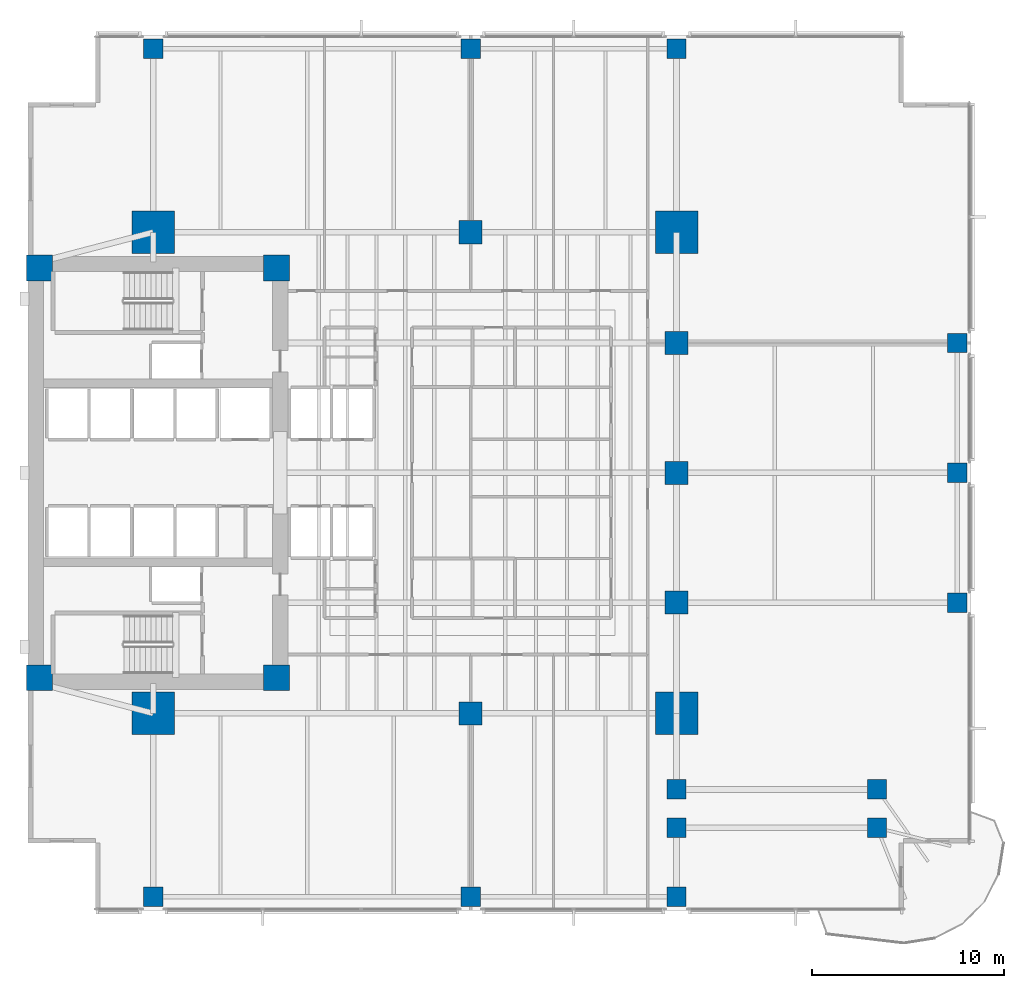
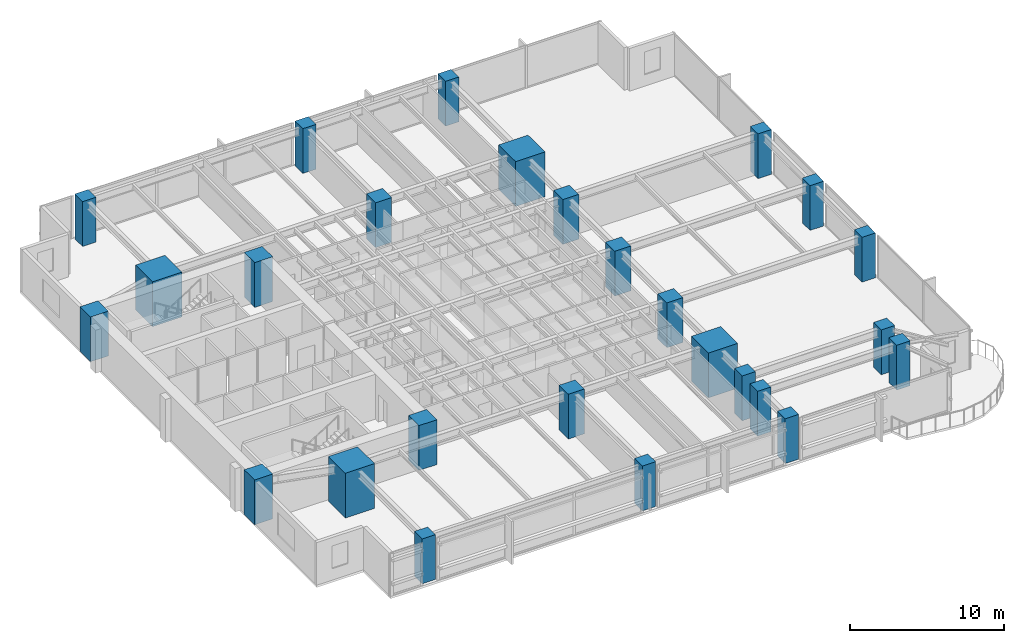
# One storey, part 1 of 15: 26 columns.
"""IFC4 building model written with IfcOpenShell, lengths in metres."""

import ifcopenshell
import ifcopenshell.guid

model = None  # the IFC model being written
_history = None  # IfcOwnerHistory: only IFC2X3 demands one
_inside = {}  # id of a spatial element -> (the spatial element, [elements in it])
_under = {}  # id of a project, library or spatial element -> (it, [spatial elements below it])
_declared = {}  # id of a project -> (the project, [libraries it declares])
_typed = {}  # id of a type object -> (the type object, [elements of that type])
_made_of = {}  # id of a material, layer set ... -> (it, [elements and type objects made of it])


def new_model(schema):
    """Start an empty IFC model of exactly this schema.

    Asked for "IFC4X3", IfcOpenShell would pick the latest addendum, in which some entities
    have other attributes; the version numbers below select the first issue.
    IFC2X3 requires an IfcOwnerHistory on every rooted entity: one is made here for all.
    """
    global model, _history
    if schema == "IFC4X3":
        model = ifcopenshell.file(schema_version=(4, 3, 0, 0))
    else:
        model = ifcopenshell.file(schema=schema)
    _inside.clear()
    _under.clear()
    _declared.clear()
    _typed.clear()
    _made_of.clear()
    _history = None
    if model.schema == "IFC2X3":
        org = make("IfcOrganization", Name="unknown")
        user = make(
            "IfcPersonAndOrganization",
            ThePerson=make("IfcPerson", FamilyName="unknown"),
            TheOrganization=org,
        )
        app = make(
            "IfcApplication",
            ApplicationDeveloper=org,
            Version="unknown",
            ApplicationFullName="unknown",
            ApplicationIdentifier="unknown",
        )
        _history = make(
            "IfcOwnerHistory",
            OwningUser=user,
            OwningApplication=app,
            ChangeAction="ADDED",
            CreationDate=0,
        )
    return model


def make(cls, **values):
    """One entity of the class cls with the attributes given. An attribute that is None is left unset."""
    return model.create_entity(
        cls, **{name: value for name, value in values.items() if value is not None}
    )


def rooted(cls, **values):
    """An entity with a GlobalId (a new one), such as an element, a storey or a relation."""
    return make(cls, GlobalId=ifcopenshell.guid.new(), OwnerHistory=_history, **values)


def si_unit(unit_type, name, prefix=None):
    """IfcSIUnit, for example si_unit("LENGTHUNIT", "METRE", prefix="MILLI")."""
    return make("IfcSIUnit", UnitType=unit_type, Prefix=prefix, Name=name)


def assignment(units):
    """IfcUnitAssignment: the units of a project."""
    return None if units is None else make("IfcUnitAssignment", Units=units)


def point(xyz):
    """IfcCartesianPoint."""
    return None if xyz is None else make("IfcCartesianPoint", Coordinates=xyz)


def direction(xyz):
    """IfcDirection."""
    return None if xyz is None else make("IfcDirection", DirectionRatios=xyz)


def frame(location, z_axis=None, x_axis=None):
    """IfcAxis2Placement3D, a coordinate frame: its origin and axes. An axis left out is left unset."""
    return make(
        "IfcAxis2Placement3D",
        Location=point(location),
        Axis=direction(z_axis),
        RefDirection=direction(x_axis),
    )


def frame_2d(location, x_axis=None):
    """IfcAxis2Placement2D, a coordinate frame in the plane: its origin and x axis."""
    return make(
        "IfcAxis2Placement2D", Location=point(location), RefDirection=direction(x_axis)
    )


def origin():
    """The frame at (0, 0, 0) with its axes left unset."""
    return frame((0.0, 0.0, 0.0))


def origin_2d():
    """The frame at (0, 0) in the plane with its x axis left unset."""
    return frame_2d((0.0, 0.0))


def place(relative_to, where):
    """IfcLocalPlacement: puts the frame where relative to a parent placement (None: the world)."""
    return make(
        "IfcLocalPlacement", PlacementRelTo=relative_to, RelativePlacement=where
    )


def context(
    kind, dimensions, precision=None, world=None, true_north=None, identifier=None
):
    """IfcGeometricRepresentationContext, for example the 3D "Model" context."""
    return make(
        "IfcGeometricRepresentationContext",
        ContextIdentifier=identifier,
        ContextType=kind,
        CoordinateSpaceDimension=dimensions,
        Precision=precision,
        WorldCoordinateSystem=world,
        TrueNorth=true_north,
    )


def subcontext(parent, identifier, kind, view, scale=None):
    """IfcGeometricRepresentationSubContext, for example "Body" below "Model"."""
    return make(
        "IfcGeometricRepresentationSubContext",
        ContextIdentifier=identifier,
        ContextType=kind,
        ParentContext=parent,
        TargetScale=scale,
        TargetView=view,
    )


def project(units=None, contexts=None):
    """IfcProject with its units and contexts."""
    return rooted(
        "IfcProject",
        Name="project",
        RepresentationContexts=contexts,
        UnitsInContext=assignment(units),
    )


def spatial(cls, under=None, at=None, **own):
    """A site, building, storey or space (cls), placed at a placement, below another one or the project."""
    s = rooted(cls, ObjectPlacement=at, **own)
    if under is not None:
        _under.setdefault(under.id(), (under, []))[1].append(s)
    return s


def profile(cls, at=None, kind="AREA", **sizes):
    """A parametric profile (cls). Its sizes go by their IFC names, for example OverallWidth=200.0."""
    return make(cls, ProfileType=kind, Position=at, **sizes)


def rectangle(**sizes):
    """IfcRectangleProfileDef."""
    return profile("IfcRectangleProfileDef", **sizes)


def extrude(swept, where, along, depth):
    """IfcExtrudedAreaSolid: the profile swept, set in the frame where, extruded along a direction by depth."""
    return make(
        "IfcExtrudedAreaSolid",
        SweptArea=swept,
        Position=where,
        ExtrudedDirection=direction(along),
        Depth=depth,
    )


def shape(context_of_items, identifier, shape_type, items):
    """IfcShapeRepresentation: the items that make up one representation, for example the "Body"."""
    return make(
        "IfcShapeRepresentation",
        ContextOfItems=context_of_items,
        RepresentationIdentifier=identifier,
        RepresentationType=shape_type,
        Items=items,
    )


def material(Name=None, Category=None):
    """IfcMaterial."""
    return make("IfcMaterial", Name=Name, Category=Category)


def material_profile(
    of_material, cross_section, Name=None, Category=None, Priority=None
):
    """IfcMaterialProfile: a cross section and its material."""
    return make(
        "IfcMaterialProfile",
        Name=Name,
        Material=of_material,
        Profile=cross_section,
        Priority=Priority,
        Category=Category,
    )


def profile_set(profiles, Name=None, composite=None):
    """IfcMaterialProfileSet."""
    return make(
        "IfcMaterialProfileSet",
        Name=Name,
        MaterialProfiles=profiles,
        CompositeProfile=composite,
    )


def made_of(thing, what):
    """Note that an element or type object is made of a material, layer set ...; save() writes the relation."""
    if what is not None:
        _made_of.setdefault(what.id(), (what, []))[1].append(thing)
    return thing


def type_object(cls, material=None, **own):
    """A type object (cls), such as IfcWallType, which elements share."""
    return made_of(rooted(cls, **own), material)


def element(
    cls,
    number,
    at=None,
    inside=None,
    cuts=None,
    type_object=None,
    material=None,
    context=None,
    identifier="Body",
    shape_type=None,
    held_by="IfcProductDefinitionShape",
    body=None,
    shapes=None,
    **own,
):
    """One element of the class cls, such as IfcWall. Its Tag is "e" and its number.

    at: its placement. inside: the storey or other place that contains it. cuts: it is an
    opening in that element (IfcRelVoidsElement). A single representation is given by context,
    identifier, shape_type and body (its items); several are given by shapes. held_by: the class
    of the entity that holds the representations. save() writes the other relations.
    """
    e = rooted(cls, Tag="e%d" % number, ObjectPlacement=at, **own)
    if body is not None:
        shapes = [shape(context, identifier, shape_type, body)]
    if shapes is not None:
        e.Representation = make(held_by, Representations=shapes)
    if inside is not None:
        _inside.setdefault(inside.id(), (inside, []))[1].append(e)
    if cuts is not None:
        rooted(
            "IfcRelVoidsElement", RelatingBuildingElement=cuts, RelatedOpeningElement=e
        )
    if type_object is not None:
        _typed.setdefault(type_object.id(), (type_object, []))[1].append(e)
    return made_of(e, material)


def aggregate(whole, parts):
    """IfcRelAggregates: a whole, such as a stair, and the parts it consists of."""
    return rooted("IfcRelAggregates", RelatingObject=whole, RelatedObjects=parts)


def save(model, path):
    """Write the relations noted so far, then the file.

    IfcRelAggregates (storeys below a building ...), IfcRelContainedInSpatialStructure (elements
    in a storey), IfcRelDefinesByType, IfcRelAssociatesMaterial and IfcRelDeclares: one each for
    every whole, place, type object, material and project.
    """
    for whole, parts in _under.values():
        aggregate(whole, parts)
    for where, things in _inside.values():
        rooted(
            "IfcRelContainedInSpatialStructure",
            RelatedElements=things,
            RelatingStructure=where,
        )
    for kind, things in _typed.values():
        rooted("IfcRelDefinesByType", RelatedObjects=things, RelatingType=kind)
    for what, things in _made_of.values():
        rooted("IfcRelAssociatesMaterial", RelatedObjects=things, RelatingMaterial=what)
    for by, libraries in _declared.values():
        rooted("IfcRelDeclares", RelatingContext=by, RelatedDefinitions=libraries)
    model.write(path)


model = new_model("IFC4")

# Units and contexts
model_context = context("Model", 3, precision=1e-05, world=origin(), true_north=direction((0.0, 1.0)))
body_context = subcontext(model_context, "Body", "Model", "MODEL_VIEW")
ifc_project = project(units=[si_unit("LENGTHUNIT", "METRE"), si_unit("AREAUNIT", "SQUARE_METRE"), si_unit("VOLUMEUNIT", "CUBIC_METRE"), si_unit("PLANEANGLEUNIT", "RADIAN"), si_unit("MASSUNIT", "GRAM", prefix="KILO")], contexts=[model_context])

# Site, building, storey
site_placement = place(None, origin())
site = spatial("IfcSite", under=ifc_project, at=site_placement, CompositionType="ELEMENT")
building_placement = place(site_placement, origin())
building = spatial("IfcBuilding", under=site, at=building_placement, Name="Kinhvarn Gate Tower", CompositionType="ELEMENT")
storey_placement = place(building_placement, frame((0.0, 0.0, 68.199951171875)))
storey = spatial("IfcBuildingStorey", under=building, at=storey_placement, Name="L17", CompositionType="ELEMENT", Elevation=68.199951171875)

# Columns
ifc_material_1 = material(Name="Concrete C70/85", Category="concrete")
ifc_material_profile_1 = material_profile(ifc_material_1, rectangle(XDim=2.199951171875, YDim=2.199951171875, at=origin_2d()), Name="RC 2200x2200")
ifc_profile_set_1 = profile_set([ifc_material_profile_1], Name="Concrete C70/85")
column_type_1 = type_object("IfcColumnType", Name="COL-MC-2200", PredefinedType="COLUMN", material=ifc_profile_set_1)
for number, where, z_axis, x_axis, name in (
    (1, (11.0, 12.75, 0.0), (0.0, 0.0, 1.0), (1.0, 0.0, 0.0), "Column MC1-L17 (MC-22)"),
    (2, (11.0, 37.75, 0.0), (0.0, 0.0, 1.0), (1.0, 0.0, 0.0), "Column MC4-L17 (MC-22)"),
    (3, (38.199951171875, 12.75, 0.0), (0.0, 0.0, 1.0), (1.0, 0.0, 0.0), "Column MC2-L17 (MC-22)"),
    (4, (38.199951171875, 37.75, 0.0), (0.0, 0.0, 1.0), (1.0, 0.0, 0.0), "Column MC3-L17 (MC-22)"),
):
    element("IfcColumn", number, at=place(storey_placement, frame(where, z_axis=z_axis, x_axis=x_axis)), inside=storey, type_object=column_type_1, Name=name, PredefinedType="COLUMN", context=body_context, shape_type="SweptSolid", body=[
        extrude(rectangle(XDim=2.199951171875, YDim=2.199951171875, at=origin_2d()), origin(), (0.0, 0.0, 1.0), 3.550048828125),
    ])
ifc_material_2 = material(Name="Concrete C60/75", Category="concrete")
ifc_material_profile_2 = material_profile(ifc_material_2, rectangle(XDim=1.0, YDim=1.0, at=origin_2d()), Name="RC 1000x1000")
ifc_profile_set_2 = profile_set([ifc_material_profile_2], Name="Concrete C60/75")
column_type_2 = type_object("IfcColumnType", Name="COL-RC-1000", PredefinedType="COLUMN", material=ifc_profile_set_2)
for number, where, z_axis, x_axis, name in (
    (5, (48.6201171875, 6.800048828125, 0.0), (0.0, 0.0, 1.0), (1.0, 0.0, 0.0), "Column CS-SE1-L17 (C-100)"),
    (6, (38.199951171875, 6.800048828125, 0.0), (0.0, 0.0, 1.0), (1.0, 0.0, 0.0), "Column CS-ANC68-L17 (C-100)"),
    (7, (38.199951171875, 8.800048828125, 0.0), (0.0, 0.0, 1.0), (1.0, 0.0, 0.0), "Column CS-ANC88-L17 (C-100)"),
    (8, (48.6201171875, 8.800048828125, 0.0), (0.0, 0.0, 1.0), (1.0, 0.0, 0.0), "Column CS-SE1B-L17 (C-100)"),
    (9, (52.780029296875, 18.5, 0.0), (0.0, 0.0, 1.0), (1.0, 0.0, 0.0), "Column CE-1-L17 (C-100)"),
    (10, (52.780029296875, 25.25, 0.0), (0.0, 0.0, 1.0), (1.0, 0.0, 0.0), "Column CE-2-L17 (C-100)"),
    (11, (52.780029296875, 32.0, 0.0), (0.0, 0.0, 1.0), (1.0, 0.0, 0.0), "Column CE-3-L17 (C-100)"),
    (12, (11.0, 3.219970703125, 0.0), (0.0, 0.0, 1.0), (1.0, 0.0, 0.0), "Column CS-0-L17 (C-100)"),
    (13, (27.5, 3.219970703125, 0.0), (0.0, 0.0, 1.0), (1.0, 0.0, 0.0), "Column CS-1-L17 (C-100)"),
    (14, (38.199951171875, 3.219970703125, 0.0), (0.0, 0.0, 1.0), (1.0, 0.0, 0.0), "Column CS-2-L17 (C-100)"),
    (15, (11.0, 47.280029296875, 0.0), (0.0, 0.0, 1.0), (1.0, 0.0, 0.0), "Column CN-0-L17 (C-100)"),
    (16, (27.5, 47.280029296875, 0.0), (0.0, 0.0, 1.0), (1.0, 0.0, 0.0), "Column CN-1-L17 (C-100)"),
    (17, (38.199951171875, 47.280029296875, 0.0), (0.0, 0.0, 1.0), (1.0, 0.0, 0.0), "Column CN-2-L17 (C-100)"),
):
    element("IfcColumn", number, at=place(storey_placement, frame(where, z_axis=z_axis, x_axis=x_axis)), inside=storey, type_object=column_type_2, Name=name, PredefinedType="COLUMN", context=body_context, shape_type="SweptSolid", body=[
        extrude(rectangle(XDim=1.0, YDim=1.0, at=origin_2d()), origin(), (0.0, 0.0, 1.0), 3.550048828125),
    ])
ifc_material_profile_3 = material_profile(ifc_material_2, rectangle(XDim=1.199951171875, YDim=1.199951171875, at=origin_2d()), Name="RC 1200x1200")
ifc_profile_set_3 = profile_set([ifc_material_profile_3], Name="Concrete C60/75")
column_type_3 = type_object("IfcColumnType", Name="COL-RC-1200", PredefinedType="COLUMN", material=ifc_profile_set_3)
for number, where, z_axis, x_axis, name in (
    (18, (27.5, 12.75, 0.0), (0.0, 0.0, 1.0), (1.0, 0.0, 0.0), "Column SP27-S-L17 (C-120)"),
    (19, (27.5, 37.75, 0.0), (0.0, 0.0, 1.0), (1.0, 0.0, 0.0), "Column SP27-N-L17 (C-120)"),
    (20, (38.199951171875, 18.5, 0.0), (0.0, 0.0, 1.0), (1.0, 0.0, 0.0), "Column SP38-E1-L17 (C-120)"),
    (21, (38.199951171875, 25.25, 0.0), (0.0, 0.0, 1.0), (1.0, 0.0, 0.0), "Column SP38-E2-L17 (C-120)"),
    (22, (38.199951171875, 32.0, 0.0), (0.0, 0.0, 1.0), (1.0, 0.0, 0.0), "Column SP38-E3-L17 (C-120)"),
):
    element("IfcColumn", number, at=place(storey_placement, frame(where, z_axis=z_axis, x_axis=x_axis)), inside=storey, type_object=column_type_3, Name=name, PredefinedType="COLUMN", context=body_context, shape_type="SweptSolid", body=[
        extrude(rectangle(XDim=1.199951171875, YDim=1.199951171875, at=origin_2d()), origin(), (0.0, 0.0, 1.0), 3.550048828125),
    ])
ifc_material_profile_4 = material_profile(ifc_material_1, rectangle(XDim=1.35009765625, YDim=1.35009765625, at=origin_2d()), Name="RC 1350x1350")
ifc_profile_set_4 = profile_set([ifc_material_profile_4], Name="Concrete C70/85")
column_type_4 = type_object("IfcColumnType", Name="PIL-RC-1350", PredefinedType="PILASTER", material=ifc_profile_set_4)
for number, where, z_axis, x_axis, name in (
    (23, (5.10009765625, 14.60009765625, 0.0), (0.0, 0.0, 1.0), (1.0, 0.0, 0.0), "Column CC-SW-L17 (CP-135)"),
    (24, (5.10009765625, 35.89990234375, 0.0), (0.0, 0.0, 1.0), (1.0, 0.0, 0.0), "Column CC-NW-L17 (CP-135)"),
    (25, (17.39990234375, 14.60009765625, 0.0), (0.0, 0.0, 1.0), (1.0, 0.0, 0.0), "Column CC-SE-L17 (CP-135)"),
    (26, (17.39990234375, 35.89990234375, 0.0), (0.0, 0.0, 1.0), (1.0, 0.0, 0.0), "Column CC-NE-L17 (CP-135)"),
):
    element("IfcColumn", number, at=place(storey_placement, frame(where, z_axis=z_axis, x_axis=x_axis)), inside=storey, type_object=column_type_4, Name=name, PredefinedType="PILASTER", context=body_context, shape_type="SweptSolid", body=[
        extrude(rectangle(XDim=1.35009765625, YDim=1.35009765625, at=origin_2d()), origin(), (0.0, 0.0, 1.0), 3.550048828125),
    ])

save(model, "model.ifc")
